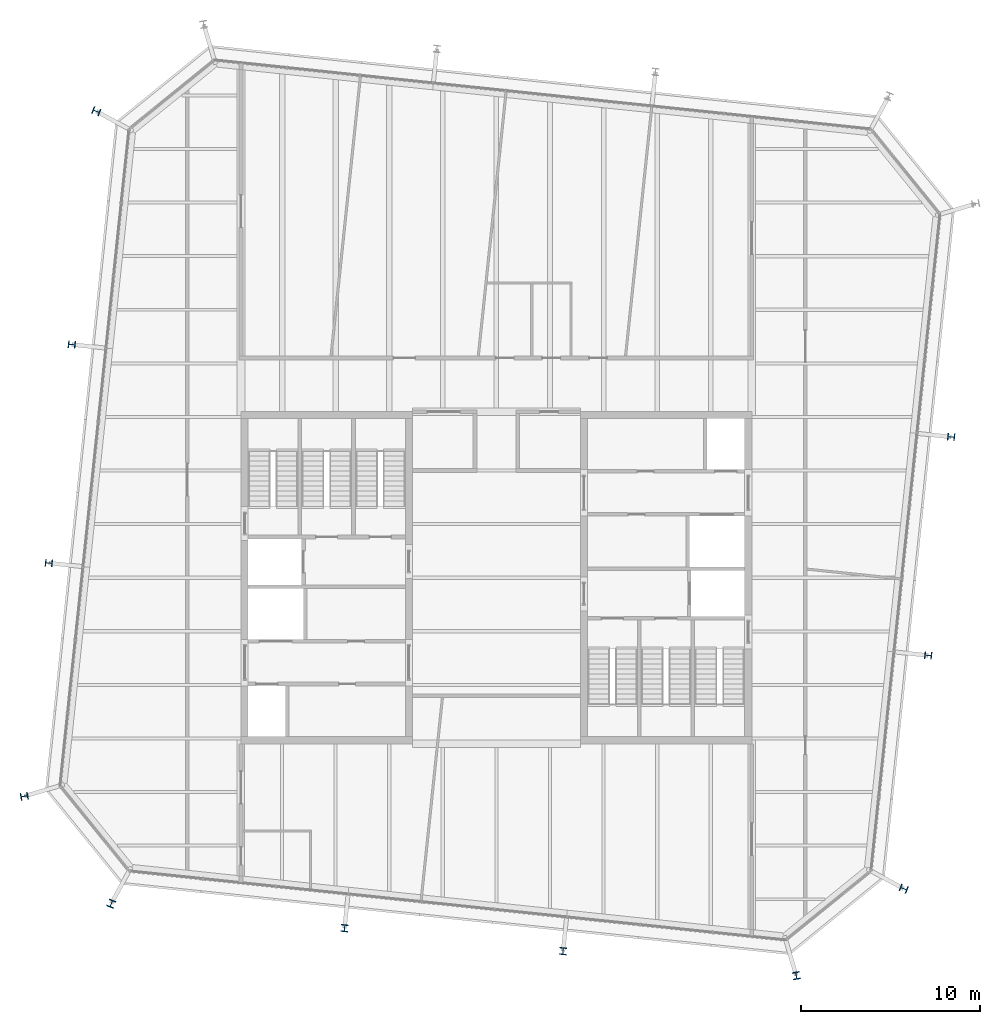
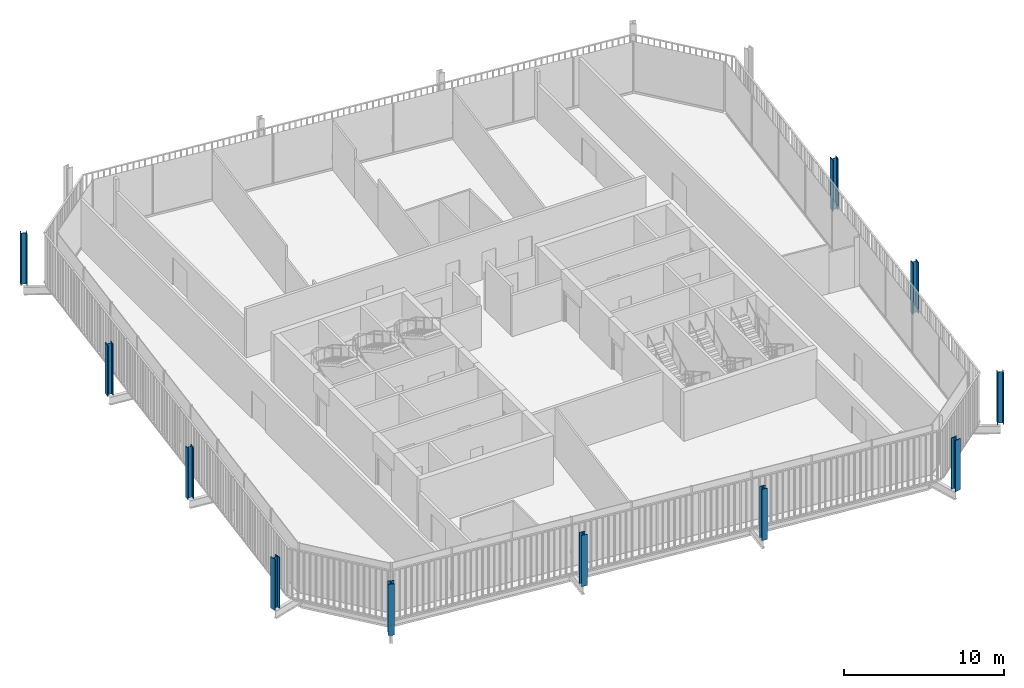
# One storey, part 1 of 20: 11 columns.
"""IFC4 building model written with IfcOpenShell, lengths in metres."""

from ifc_helpers import new_model, si_unit, direction, frame, origin, origin_2d, place, context, subcontext, project, spatial, i_section, extrude, material, material_profile, profile_set, type_object, element, save


model = new_model("IFC4")

# Units and contexts
model_context = context("Model", 3, precision=1e-05, world=origin(), true_north=direction((0.0, 1.0)))
body_context = subcontext(model_context, "Body", "Model", "MODEL_VIEW")
ifc_project = project(units=[si_unit("LENGTHUNIT", "METRE"), si_unit("AREAUNIT", "SQUARE_METRE"), si_unit("VOLUMEUNIT", "CUBIC_METRE"), si_unit("PLANEANGLEUNIT", "RADIAN"), si_unit("MASSUNIT", "GRAM", prefix="KILO")], contexts=[model_context])

# Site, building, storey
site_placement = place(None, origin())
site = spatial("IfcSite", under=ifc_project, at=site_placement, CompositionType="ELEMENT")
building_placement = place(site_placement, origin())
building = spatial("IfcBuilding", under=site, at=building_placement, Name="Millrace Tower", CompositionType="ELEMENT")
storey_placement = place(building_placement, frame((0.0, 0.0, 279.89990234375)))
storey = spatial("IfcBuildingStorey", under=building, at=storey_placement, Name="L64", CompositionType="ELEMENT", Elevation=279.89990234375)

# Columns
ifc_material_1 = material(Name="Steel ASTM A913 Grade 65", Category="steel")
ifc_material_profile_1 = material_profile(ifc_material_1, i_section(OverallWidth=0.4013671875, OverallDepth=0.398681640625, WebThickness=0.02490234375, FlangeThickness=0.03955078125, FilletRadius=0.01513671875, at=origin_2d()))
ifc_profile_set_1 = profile_set([ifc_material_profile_1], Name="Steel ASTM A913 Grade 65")
column_type_1 = type_object("IfcColumnType", Name="Exoskeleton column W14x211", PredefinedType="COLUMN", material=ifc_profile_set_1)
for number, where, z_axis, x_axis, name in (
    (1, (-8.50341796875, -19.62158203125, 0.0), (0.0, 0.0, 1.0), (0.994521897246, -0.104528445407, 0.0), "COL-E-L64-X03"),
    (2, (3.729248046875, -20.9072265625, 0.0), (0.0, 0.0, 1.0), (0.994521897246, -0.104528445407, 0.0), "COL-E-L64-X04"),
    (3, (24.171630859375, -4.353271484375, 0.0), (0.0, 0.0, 1.0), (0.104528445407, 0.994521897246, 0.0), "COL-E-L64-X07"),
    (4, (25.457275390625, 7.879150390625, 0.0), (0.0, 0.0, 1.0), (0.104528445407, 0.994521897246, 0.0), "COL-E-L64-X08"),
    (5, (-23.771484375, 13.053466796875, 0.0), (0.0, 0.0, 1.0), (-0.104528445407, -0.994521897246, 0.0), "COL-E-L64-X15"),
    (6, (-25.057373046875, 0.82080078125, 0.0), (0.0, 0.0, 1.0), (-0.104528445407, -0.994521897246, 0.0), "COL-E-L64-X16"),
):
    element("IfcColumn", number, at=place(storey_placement, frame(where, z_axis=z_axis, x_axis=x_axis)), inside=storey, type_object=column_type_1, Name=name, PredefinedType="COLUMN", context=body_context, shape_type="SweptSolid", body=[
        extrude(i_section(OverallWidth=0.4013671875, OverallDepth=0.398681640625, WebThickness=0.02490234375, FlangeThickness=0.03955078125, FilletRadius=0.01513671875, at=origin_2d()), origin(), (0.0, 0.0, 1.0), 3.900146484375),
    ])
ifc_material_2 = material(Name="Steel ASTM A913 Grade 65", Category="steel")
ifc_material_profile_2 = material_profile(ifc_material_2, i_section(OverallWidth=0.406494140625, OverallDepth=0.41650390625, WebThickness=0.030029296875, FlangeThickness=0.048095703125, FilletRadius=0.01513671875, at=origin_2d()))
ifc_profile_set_2 = profile_set([ifc_material_profile_2], Name="Steel ASTM A913 Grade 65")
column_type_2 = type_object("IfcColumnType", Name="Exoskeleton column W14x257", PredefinedType="COLUMN", material=ifc_profile_set_2)
for number, where, z_axis, x_axis, name in (
    (7, (-26.429443359375, -12.23583984375, 0.0), (0.0, 0.0, 1.0), (0.18038747256, -0.983595628164, 0.0), "COL-E-L64-X01"),
    (8, (-21.559814453125, -18.249267578125, 0.0), (0.0, 0.0, 1.0), (0.92459700658, -0.380946683176, 0.0), "COL-E-L64-X02"),
    (9, (16.78564453125, -22.279541015625, 0.0), (0.0, 0.0, 1.0), (0.983595628164, 0.18038747256, 0.0), "COL-E-L64-X05"),
    (10, (22.79931640625, -17.409912109375, 0.0), (0.0, 0.0, 1.0), (0.380946683176, 0.92459700658, 0.0), "COL-E-L64-X06"),
    (11, (-22.399169921875, 26.10986328125, 0.0), (0.0, 0.0, 1.0), (-0.380946683176, -0.92459700658, 0.0), "COL-E-L64-X14"),
):
    element("IfcColumn", number, at=place(storey_placement, frame(where, z_axis=z_axis, x_axis=x_axis)), inside=storey, type_object=column_type_2, Name=name, PredefinedType="COLUMN", context=body_context, shape_type="SweptSolid", body=[
        extrude(i_section(OverallWidth=0.406494140625, OverallDepth=0.41650390625, WebThickness=0.030029296875, FlangeThickness=0.048095703125, FilletRadius=0.01513671875, at=origin_2d()), origin(), (0.0, 0.0, 1.0), 3.900146484375),
    ])

save(model, "model.ifc")
